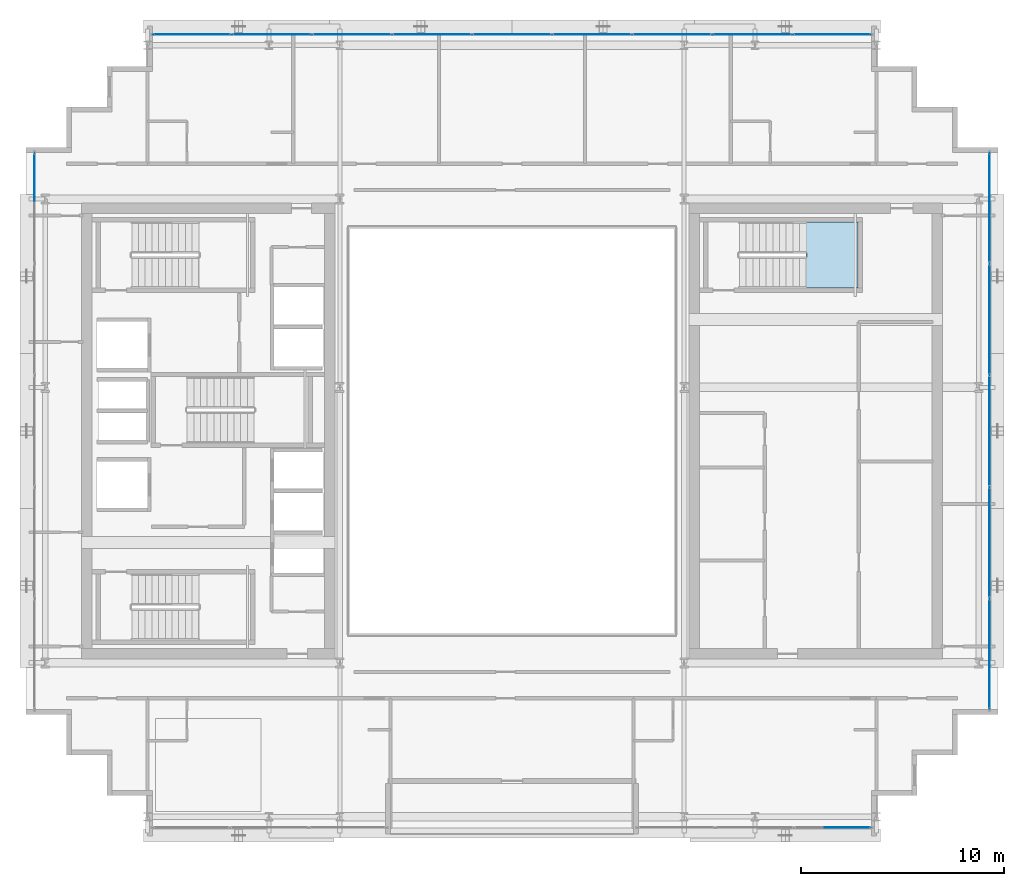
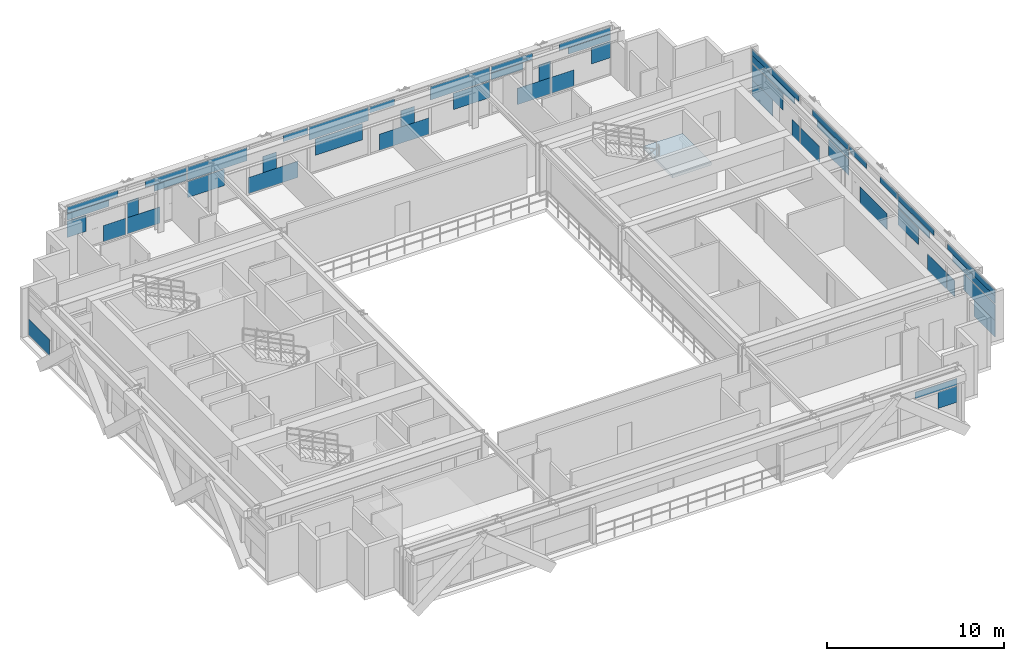
# One storey, part 21 of 30: 52 plates, 1 slab, 5 elements without a shape of their own.
"""IFC4 building model written with IfcOpenShell, lengths in metres."""

from ifc_helpers import new_model, si_unit, direction, frame, origin, origin_2d, place, context, subcontext, project, spatial, polyline, rectangle, outline, extrude, source, transform, mapped, material, layer, layer_set, type_object, element, aggregate, save


model = new_model("IFC4")

# Units and contexts
model_context = context("Model", 3, precision=1e-05, world=origin(), true_north=direction((0.0, 1.0)))
body_context = subcontext(model_context, "Body", "Model", "MODEL_VIEW")
ifc_project = project(units=[si_unit("LENGTHUNIT", "METRE"), si_unit("AREAUNIT", "SQUARE_METRE"), si_unit("VOLUMEUNIT", "CUBIC_METRE"), si_unit("PLANEANGLEUNIT", "RADIAN"), si_unit("MASSUNIT", "GRAM", prefix="KILO")], contexts=[model_context])

# Site, building, storey
site_placement = place(None, origin())
site = spatial("IfcSite", under=ifc_project, at=site_placement, CompositionType="ELEMENT")
building_placement = place(site_placement, origin())
building = spatial("IfcBuilding", under=site, at=building_placement, Name="Ocotamira Hotel", CompositionType="ELEMENT")
storey_placement = place(building_placement, frame((0.0, 0.0, 195.60009765625)))
storey = spatial("IfcBuildingStorey", under=building, at=storey_placement, Name="L49", CompositionType="ELEMENT", Elevation=195.60009765625)

# Stair, slab
ifc_material_1 = material(Name="Concrete C40/50", Category="concrete")
stair_type = type_object("IfcStairType", Name="ST-CORE-1560", PredefinedType="HALF_TURN_STAIR", material=ifc_material_1)
stair_placement = place(storey_placement, origin())
stair = element("IfcStair", 1, at=stair_placement, inside=storey, type_object=stair_type, Name="L49 Exit Stair ST-4", PredefinedType="HALF_TURN_STAIR")
ifc_layer_1 = layer(ifc_material_1, 0.199951171875)
ifc_layer_set_1 = layer_set([ifc_layer_1], Name="Concrete C40/50")
slab_type = type_object("IfcSlabType", Name="SLB-LAND-200", PredefinedType="LANDING", material=ifc_layer_set_1)
slab_placement = place(storey_placement, frame((0.0, 0.0, 1.599853515625)))
slab = element("IfcSlab", 2, at=slab_placement, type_object=slab_type, Name="ST-4 landing 1", PredefinedType="LANDING", context=body_context, shape_type="SweptSolid", body=[
    extrude(outline(polyline([(46.530029296875, 33.050048828125), (49.090087890625, 33.050048828125), (49.090087890625, 36.330078125), (46.530029296875, 36.330078125), (46.530029296875, 33.050048828125)])), origin(), (0.0, 0.0, 1.0), 0.199951171875),
])
aggregate(stair, [slab])

# Curtain wall, plates
ifc_material_2 = material(Name="Anodised pale-metal aluminium and solar glass", Category="aluminium")
ifc_layer_2 = layer(ifc_material_2, 0.199951171875)
ifc_layer_set_2 = layer_set([ifc_layer_2], Name="Anodised pale-metal aluminium and solar glass")
curtain_wall_type = type_object("IfcCurtainWallType", Name="CW-SYS4-Z3", PredefinedType="NOTDEFINED", material=ifc_layer_set_2)
curtain_wall_1_placement = place(storey_placement, origin())
curtain_wall_1 = element("IfcCurtainWall", 3, at=curtain_wall_1_placement, inside=storey, type_object=curtain_wall_type, Name="L49 Curtain Wall CW-4 CW-L49-N", PredefinedType="NOTDEFINED")
ifc_material_3 = material(Name="Double-silver low-E insulated solar glass", Category="glass")
ifc_layer_3 = layer(ifc_material_3, 0.031982421875)
ifc_layer_set_3 = layer_set([ifc_layer_3], Name="Double-silver low-E insulated solar glass")
plate_type = type_object("IfcPlateType", Name="CWP-VISION-32", PredefinedType="CURTAIN_PANEL", material=ifc_layer_set_3)
shared_shape_1 = source(origin(), body_context, "Body", "SweptSolid", [
    extrude(rectangle(XDim=3.87548828125, YDim=0.031982421875, at=origin_2d()), origin(), (0.0, 0.0, 1.0), 0.907470703125),
])
plate_1_placement = place(storey_placement, frame((24.0888671875, 45.580078125, 2.38720703125), z_axis=(0.0, 0.0, 1.0), x_axis=(1.0, 0.0, 0.0)))
plate_1 = element("IfcPlate", 4, at=plate_1_placement, type_object=plate_type, Name="CW-4 panel 3.2", PredefinedType="CURTAIN_PANEL", context=body_context, shape_type="MappedRepresentation", body=[
    mapped(shared_shape_1, transform((0.0, 0.0, 0.0), scale=1.0)),
])
plate_2_placement = place(storey_placement, frame((32.0, 45.580078125, 2.38720703125), z_axis=(0.0, 0.0, 1.0), x_axis=(1.0, 0.0, 0.0)))
plate_2 = element("IfcPlate", 5, at=plate_2_placement, type_object=plate_type, Name="CW-4 panel 5.2", PredefinedType="CURTAIN_PANEL", context=body_context, shape_type="MappedRepresentation", body=[
    mapped(shared_shape_1, transform((0.0, 0.0, 0.0), scale=1.0)),
])
plate_3_placement = place(storey_placement, frame((39.9111328125, 45.580078125, 2.38720703125), z_axis=(0.0, 0.0, 1.0), x_axis=(1.0, 0.0, 0.0)))
plate_3 = element("IfcPlate", 6, at=plate_3_placement, type_object=plate_type, Name="CW-4 panel 7.2", PredefinedType="CURTAIN_PANEL", context=body_context, shape_type="MappedRepresentation", body=[
    mapped(shared_shape_1, transform((0.0, 0.0, 0.0), scale=1.0)),
])

# Curtain wall, plate
curtain_wall_2_placement = place(storey_placement, origin())
curtain_wall_2 = element("IfcCurtainWall", 7, at=curtain_wall_2_placement, inside=storey, type_object=curtain_wall_type, Name="L49 Curtain Wall CW-4 CW-L49-S2", PredefinedType="NOTDEFINED")
shared_shape_2 = source(origin(), body_context, "Body", "SweptSolid", [
    extrude(rectangle(XDim=1.251953125, YDim=0.031982421875, at=origin_2d()), origin(), (0.0, 0.0, 1.0), 1.118896484375),
])
plate_4_placement = place(storey_placement, frame((49.093994140625, 6.419921875, 1.193359375), z_axis=(0.0, 0.0, 1.0), x_axis=(1.0, 0.0, 0.0)))
plate_4 = element("IfcPlate", 8, at=plate_4_placement, type_object=plate_type, Name="CW-4 panel 3.1.2", PredefinedType="CURTAIN_PANEL", context=body_context, shape_type="MappedRepresentation", body=[
    mapped(shared_shape_2, transform((0.0, 0.0, 0.0), scale=1.0)),
])

# Plate
plate_5_placement = place(storey_placement, frame((14.906005859375, 45.580078125, 1.193359375), z_axis=(0.0, 0.0, 1.0), x_axis=(1.0, 0.0, 0.0)))
plate_5 = element("IfcPlate", 9, at=plate_5_placement, type_object=plate_type, Name="CW-4 panel 1.1.1", PredefinedType="CURTAIN_PANEL", context=body_context, shape_type="MappedRepresentation", body=[
    mapped(shared_shape_2, transform((0.0, 0.0, 0.0), scale=1.0)),
])

plate_6_placement = place(storey_placement, frame((49.093994140625, 45.580078125, 1.193359375), z_axis=(0.0, 0.0, 1.0), x_axis=(1.0, 0.0, 0.0)))
plate_6 = element("IfcPlate", 10, at=plate_6_placement, type_object=plate_type, Name="CW-4 panel 9.1.2", PredefinedType="CURTAIN_PANEL", context=body_context, shape_type="MappedRepresentation", body=[
    mapped(shared_shape_2, transform((0.0, 0.0, 0.0), scale=1.0)),
])

shared_shape_3 = source(origin(), body_context, "Body", "SweptSolid", [
    extrude(rectangle(XDim=2.744140625, YDim=0.031982421875, at=origin_2d()), origin(), (0.0, 0.0, 1.0), 0.443603515625),
])
plate_7_placement = place(storey_placement, frame((48.347900390625, 6.419921875, 2.38720703125), z_axis=(0.0, 0.0, 1.0), x_axis=(1.0, 0.0, 0.0)))
plate_7 = element("IfcPlate", 11, at=plate_7_placement, type_object=plate_type, Name="CW-4 panel 3.2.2", PredefinedType="CURTAIN_PANEL", context=body_context, shape_type="MappedRepresentation", body=[
    mapped(shared_shape_3, transform((0.0, 0.0, 0.0), scale=1.0)),
])

aggregate(curtain_wall_2, [plate_4, plate_7])

plate_8_placement = place(storey_placement, frame((15.652099609375, 45.580078125, 2.38720703125), z_axis=(0.0, 0.0, 1.0), x_axis=(1.0, 0.0, 0.0)))
plate_8 = element("IfcPlate", 12, at=plate_8_placement, type_object=plate_type, Name="CW-4 panel 1.2.1", PredefinedType="CURTAIN_PANEL", context=body_context, shape_type="MappedRepresentation", body=[
    mapped(shared_shape_3, transform((0.0, 0.0, 0.0), scale=1.0)),
])

plate_9_placement = place(storey_placement, frame((48.347900390625, 45.580078125, 2.38720703125), z_axis=(0.0, 0.0, 1.0), x_axis=(1.0, 0.0, 0.0)))
plate_9 = element("IfcPlate", 13, at=plate_9_placement, type_object=plate_type, Name="CW-4 panel 9.2.2", PredefinedType="CURTAIN_PANEL", context=body_context, shape_type="MappedRepresentation", body=[
    mapped(shared_shape_3, transform((0.0, 0.0, 0.0), scale=1.0)),
])

shared_shape_4 = source(origin(), body_context, "Body", "SweptSolid", [
    extrude(rectangle(XDim=3.337646484375, YDim=0.031982421875, at=origin_2d()), origin(), (0.0, 0.0, 1.0), 0.4326171875),
])
plate_10_placement = place(storey_placement, frame((15.94873046875, 45.580078125, 2.8623046875), z_axis=(0.0, 0.0, 1.0), x_axis=(1.0, 0.0, 0.0)))
plate_10 = element("IfcPlate", 14, at=plate_10_placement, type_object=plate_type, Name="CW-4 panel 1.2.2", PredefinedType="CURTAIN_PANEL", context=body_context, shape_type="MappedRepresentation", body=[
    mapped(shared_shape_4, transform((0.0, 0.0, 0.0), scale=1.0)),
])

plate_11_placement = place(storey_placement, frame((48.05126953125, 45.580078125, 2.8623046875), z_axis=(0.0, 0.0, 1.0), x_axis=(1.0, 0.0, 0.0)))
plate_11 = element("IfcPlate", 15, at=plate_11_placement, type_object=plate_type, Name="CW-4 panel 9.2.1", PredefinedType="CURTAIN_PANEL", context=body_context, shape_type="MappedRepresentation", body=[
    mapped(shared_shape_4, transform((0.0, 0.0, 0.0), scale=1.0)),
])

shared_shape_5 = source(origin(), body_context, "Body", "SweptSolid", [
    extrude(rectangle(XDim=0.75341796875, YDim=0.031982421875, at=origin_2d()), origin(), (0.0, 0.0, 1.0), 1.118896484375),
])
plate_12_placement = place(storey_placement, frame((18.572265625, 45.580078125, 1.193359375), z_axis=(0.0, 0.0, 1.0), x_axis=(1.0, 0.0, 0.0)))
plate_12 = element("IfcPlate", 16, at=plate_12_placement, type_object=plate_type, Name="CW-4 panel 2.1.2", PredefinedType="CURTAIN_PANEL", context=body_context, shape_type="MappedRepresentation", body=[
    mapped(shared_shape_5, transform((0.0, 0.0, 0.0), scale=1.0)),
])

plate_13_placement = place(storey_placement, frame((45.427734375, 45.580078125, 1.193359375), z_axis=(0.0, 0.0, 1.0), x_axis=(1.0, 0.0, 0.0)))
plate_13 = element("IfcPlate", 17, at=plate_13_placement, type_object=plate_type, Name="CW-4 panel 8.1.2", PredefinedType="CURTAIN_PANEL", context=body_context, shape_type="MappedRepresentation", body=[
    mapped(shared_shape_5, transform((0.0, 0.0, 0.0), scale=1.0)),
])

shared_shape_6 = source(origin(), body_context, "Body", "SweptSolid", [
    extrude(rectangle(XDim=2.688720703125, YDim=0.031982421875, at=origin_2d()), origin(), (0.0, 0.0, 1.0), 0.4326171875),
])
plate_14_placement = place(storey_placement, frame((20.726806640625, 45.580078125, 2.8623046875), z_axis=(0.0, 0.0, 1.0), x_axis=(1.0, 0.0, 0.0)))
plate_14 = element("IfcPlate", 18, at=plate_14_placement, type_object=plate_type, Name="CW-4 panel 2.2.1", PredefinedType="CURTAIN_PANEL", context=body_context, shape_type="MappedRepresentation", body=[
    mapped(shared_shape_6, transform((0.0, 0.0, 0.0), scale=1.0)),
])

plate_15_placement = place(storey_placement, frame((43.273193359375, 45.580078125, 2.8623046875), z_axis=(0.0, 0.0, 1.0), x_axis=(1.0, 0.0, 0.0)))
plate_15 = element("IfcPlate", 19, at=plate_15_placement, type_object=plate_type, Name="CW-4 panel 8.2.2", PredefinedType="CURTAIN_PANEL", context=body_context, shape_type="MappedRepresentation", body=[
    mapped(shared_shape_6, transform((0.0, 0.0, 0.0), scale=1.0)),
])

shared_shape_7 = source(origin(), body_context, "Body", "SweptSolid", [
    extrude(rectangle(XDim=2.09521484375, YDim=0.031982421875, at=origin_2d()), origin(), (0.0, 0.0, 1.0), 0.443603515625),
])
plate_16_placement = place(storey_placement, frame((21.0234375, 45.580078125, 2.38720703125), z_axis=(0.0, 0.0, 1.0), x_axis=(1.0, 0.0, 0.0)))
plate_16 = element("IfcPlate", 20, at=plate_16_placement, type_object=plate_type, Name="CW-4 panel 2.2.2", PredefinedType="CURTAIN_PANEL", context=body_context, shape_type="MappedRepresentation", body=[
    mapped(shared_shape_7, transform((0.0, 0.0, 0.0), scale=1.0)),
])

plate_17_placement = place(storey_placement, frame((42.9765625, 45.580078125, 2.38720703125), z_axis=(0.0, 0.0, 1.0), x_axis=(1.0, 0.0, 0.0)))
plate_17 = element("IfcPlate", 21, at=plate_17_placement, type_object=plate_type, Name="CW-4 panel 8.2.1", PredefinedType="CURTAIN_PANEL", context=body_context, shape_type="MappedRepresentation", body=[
    mapped(shared_shape_7, transform((0.0, 0.0, 0.0), scale=1.0)),
])

shared_shape_8 = source(origin(), body_context, "Body", "SweptSolid", [
    extrude(rectangle(XDim=2.380859375, YDim=0.031982421875, at=origin_2d()), origin(), (0.0, 0.0, 1.0), 1.118896484375),
])
plate_18_placement = place(storey_placement, frame((23.341552734375, 45.580078125, 1.193359375), z_axis=(0.0, 0.0, 1.0), x_axis=(1.0, 0.0, 0.0)))
plate_18 = element("IfcPlate", 22, at=plate_18_placement, type_object=plate_type, Name="CW-4 panel 3.1.1", PredefinedType="CURTAIN_PANEL", context=body_context, shape_type="MappedRepresentation", body=[
    mapped(shared_shape_8, transform((0.0, 0.0, 0.0), scale=1.0)),
])

plate_19_placement = place(storey_placement, frame((40.658447265625, 45.580078125, 1.193359375), z_axis=(0.0, 0.0, 1.0), x_axis=(1.0, 0.0, 0.0)))
plate_19 = element("IfcPlate", 23, at=plate_19_placement, type_object=plate_type, Name="CW-4 panel 7.1.1", PredefinedType="CURTAIN_PANEL", context=body_context, shape_type="MappedRepresentation", body=[
    mapped(shared_shape_8, transform((0.0, 0.0, 0.0), scale=1.0)),
])

shared_shape_9 = source(origin(), body_context, "Body", "SweptSolid", [
    extrude(rectangle(XDim=0.898193359375, YDim=0.031982421875, at=origin_2d()), origin(), (0.0, 0.0, 1.0), 1.118896484375),
])
plate_20_placement = place(storey_placement, frame((27.5, 45.580078125, 1.193359375), z_axis=(0.0, 0.0, 1.0), x_axis=(1.0, 0.0, 0.0)))
plate_20 = element("IfcPlate", 24, at=plate_20_placement, type_object=plate_type, Name="CW-4 panel 4.1.2", PredefinedType="CURTAIN_PANEL", context=body_context, shape_type="MappedRepresentation", body=[
    mapped(shared_shape_9, transform((0.0, 0.0, 0.0), scale=1.0)),
])

plate_21_placement = place(storey_placement, frame((36.5, 45.580078125, 1.193359375), z_axis=(0.0, 0.0, 1.0), x_axis=(1.0, 0.0, 0.0)))
plate_21 = element("IfcPlate", 25, at=plate_21_placement, type_object=plate_type, Name="CW-4 panel 6.1.2", PredefinedType="CURTAIN_PANEL", context=body_context, shape_type="MappedRepresentation", body=[
    mapped(shared_shape_9, transform((0.0, 0.0, 0.0), scale=1.0)),
])

shared_shape_10 = source(origin(), body_context, "Body", "SweptSolid", [
    extrude(rectangle(XDim=1.599853515625, YDim=0.031982421875, at=origin_2d()), origin(), (0.0, 0.0, 1.0), 0.4326171875),
])
plate_22_placement = place(storey_placement, frame((29.182373046875, 45.580078125, 2.8623046875), z_axis=(0.0, 0.0, 1.0), x_axis=(1.0, 0.0, 0.0)))
plate_22 = element("IfcPlate", 26, at=plate_22_placement, type_object=plate_type, Name="CW-4 panel 4.2.1", PredefinedType="CURTAIN_PANEL", context=body_context, shape_type="MappedRepresentation", body=[
    mapped(shared_shape_10, transform((0.0, 0.0, 0.0), scale=1.0)),
])

plate_23_placement = place(storey_placement, frame((34.817626953125, 45.580078125, 2.8623046875), z_axis=(0.0, 0.0, 1.0), x_axis=(1.0, 0.0, 0.0)))
plate_23 = element("IfcPlate", 27, at=plate_23_placement, type_object=plate_type, Name="CW-4 panel 6.2.1", PredefinedType="CURTAIN_PANEL", context=body_context, shape_type="MappedRepresentation", body=[
    mapped(shared_shape_10, transform((0.0, 0.0, 0.0), scale=1.0)),
])

shared_shape_11 = source(origin(), body_context, "Body", "SweptSolid", [
    extrude(rectangle(XDim=3.063720703125, YDim=0.031982421875, at=origin_2d()), origin(), (0.0, 0.0, 1.0), 1.118896484375),
])
plate_24_placement = place(storey_placement, frame((32.0, 45.580078125, 1.193359375), z_axis=(0.0, 0.0, 1.0), x_axis=(1.0, 0.0, 0.0)))
plate_24 = element("IfcPlate", 28, at=plate_24_placement, type_object=plate_type, Name="CW-4 panel 5.1.1", PredefinedType="CURTAIN_PANEL", context=body_context, shape_type="MappedRepresentation", body=[
    mapped(shared_shape_11, transform((0.0, 0.0, 0.0), scale=1.0)),
])

# Curtain wall, plates
curtain_wall_3_placement = place(storey_placement, origin())
curtain_wall_3 = element("IfcCurtainWall", 29, at=curtain_wall_3_placement, inside=storey, type_object=curtain_wall_type, Name="L49 Curtain Wall CW-4 CW-L49-E", PredefinedType="NOTDEFINED")
shared_shape_12 = source(origin(), body_context, "Body", "SweptSolid", [
    extrude(rectangle(XDim=3.534423828125, YDim=0.031982421875, at=origin_2d()), origin(), (0.0, 0.0, 1.0), 1.118896484375),
])
plate_25_placement = place(storey_placement, frame((55.580078125, 14.047119140625, 1.193359375), z_axis=(0.0, 0.0, 1.0), x_axis=(0.0, 1.0, 0.0)))
plate_25 = element("IfcPlate", 30, at=plate_25_placement, type_object=plate_type, Name="CW-4 panel 1.1.2", PredefinedType="CURTAIN_PANEL", context=body_context, shape_type="MappedRepresentation", body=[
    mapped(shared_shape_12, transform((0.0, 0.0, 0.0), scale=1.0)),
])
plate_26_placement = place(storey_placement, frame((55.580078125, 37.952880859375, 1.193359375), z_axis=(0.0, 0.0, 1.0), x_axis=(0.0, 1.0, 0.0)))
plate_26 = element("IfcPlate", 31, at=plate_26_placement, type_object=plate_type, Name="CW-4 panel 5.1.2", PredefinedType="CURTAIN_PANEL", context=body_context, shape_type="MappedRepresentation", body=[
    mapped(shared_shape_12, transform((0.0, 0.0, 0.0), scale=1.0)),
])
shared_shape_13 = source(origin(), body_context, "Body", "SweptSolid", [
    extrude(rectangle(XDim=4.7998046875, YDim=0.031982421875, at=origin_2d()), origin(), (0.0, 0.0, 1.0), 0.4951171875),
])
plate_27_placement = place(storey_placement, frame((55.580078125, 14.679931640625, 2.387451171875), z_axis=(0.0, 0.0, 1.0), x_axis=(0.0, 1.0, 0.0)))
plate_27 = element("IfcPlate", 32, at=plate_27_placement, type_object=plate_type, Name="CW-4 panel 1.2.1", PredefinedType="CURTAIN_PANEL", context=body_context, shape_type="MappedRepresentation", body=[
    mapped(shared_shape_13, transform((0.0, 0.0, 0.0), scale=1.0)),
])
plate_28_placement = place(storey_placement, frame((55.580078125, 37.320068359375, 2.387451171875), z_axis=(0.0, 0.0, 1.0), x_axis=(0.0, 1.0, 0.0)))
plate_28 = element("IfcPlate", 33, at=plate_28_placement, type_object=plate_type, Name="CW-4 panel 5.2.2", PredefinedType="CURTAIN_PANEL", context=body_context, shape_type="MappedRepresentation", body=[
    mapped(shared_shape_13, transform((0.0, 0.0, 0.0), scale=1.0)),
])
shared_shape_14 = source(origin(), body_context, "Body", "SweptSolid", [
    extrude(rectangle(XDim=5.32470703125, YDim=0.031982421875, at=origin_2d()), origin(), (0.0, 0.0, 1.0), 0.41259765625),
])
plate_29_placement = place(storey_placement, frame((55.580078125, 14.9423828125, 2.88232421875), z_axis=(0.0, 0.0, 1.0), x_axis=(0.0, 1.0, 0.0)))
plate_29 = element("IfcPlate", 34, at=plate_29_placement, type_object=plate_type, Name="CW-4 panel 1.2.2", PredefinedType="CURTAIN_PANEL", context=body_context, shape_type="MappedRepresentation", body=[
    mapped(shared_shape_14, transform((0.0, 0.0, 0.0), scale=1.0)),
])
plate_30_placement = place(storey_placement, frame((55.580078125, 37.0576171875, 2.88232421875), z_axis=(0.0, 0.0, 1.0), x_axis=(0.0, 1.0, 0.0)))
plate_30 = element("IfcPlate", 35, at=plate_30_placement, type_object=plate_type, Name="CW-4 panel 5.2.1", PredefinedType="CURTAIN_PANEL", context=body_context, shape_type="MappedRepresentation", body=[
    mapped(shared_shape_14, transform((0.0, 0.0, 0.0), scale=1.0)),
])
shared_shape_15 = source(origin(), body_context, "Body", "SweptSolid", [
    extrude(rectangle(XDim=2.281005859375, YDim=0.031982421875, at=origin_2d()), origin(), (0.0, 0.0, 1.0), 1.118896484375),
])
plate_31_placement = place(storey_placement, frame((55.580078125, 22.059326171875, 1.193359375), z_axis=(0.0, 0.0, 1.0), x_axis=(0.0, 1.0, 0.0)))
plate_31 = element("IfcPlate", 36, at=plate_31_placement, type_object=plate_type, Name="CW-4 panel 2.1.2", PredefinedType="CURTAIN_PANEL", context=body_context, shape_type="MappedRepresentation", body=[
    mapped(shared_shape_15, transform((0.0, 0.0, 0.0), scale=1.0)),
])
plate_32_placement = place(storey_placement, frame((55.580078125, 29.940673828125, 1.193359375), z_axis=(0.0, 0.0, 1.0), x_axis=(0.0, 1.0, 0.0)))
plate_32 = element("IfcPlate", 37, at=plate_32_placement, type_object=plate_type, Name="CW-4 panel 4.1.1", PredefinedType="CURTAIN_PANEL", context=body_context, shape_type="MappedRepresentation", body=[
    mapped(shared_shape_15, transform((0.0, 0.0, 0.0), scale=1.0)),
])
shared_shape_16 = source(origin(), body_context, "Body", "SweptSolid", [
    extrude(rectangle(XDim=4.071533203125, YDim=0.031982421875, at=origin_2d()), origin(), (0.0, 0.0, 1.0), 0.41259765625),
])
plate_33_placement = place(storey_placement, frame((55.580078125, 21.164306640625, 2.88232421875), z_axis=(0.0, 0.0, 1.0), x_axis=(0.0, 1.0, 0.0)))
plate_33 = element("IfcPlate", 38, at=plate_33_placement, type_object=plate_type, Name="CW-4 panel 2.2.1", PredefinedType="CURTAIN_PANEL", context=body_context, shape_type="MappedRepresentation", body=[
    mapped(shared_shape_16, transform((0.0, 0.0, 0.0), scale=1.0)),
])
plate_34_placement = place(storey_placement, frame((55.580078125, 30.835693359375, 2.88232421875), z_axis=(0.0, 0.0, 1.0), x_axis=(0.0, 1.0, 0.0)))
plate_34 = element("IfcPlate", 39, at=plate_34_placement, type_object=plate_type, Name="CW-4 panel 4.2.2", PredefinedType="CURTAIN_PANEL", context=body_context, shape_type="MappedRepresentation", body=[
    mapped(shared_shape_16, transform((0.0, 0.0, 0.0), scale=1.0)),
])
shared_shape_17 = source(origin(), body_context, "Body", "SweptSolid", [
    extrude(rectangle(XDim=3.546630859375, YDim=0.031982421875, at=origin_2d()), origin(), (0.0, 0.0, 1.0), 0.460693359375),
])
plate_35_placement = place(storey_placement, frame((55.580078125, 21.426513671875, 2.3876953125), z_axis=(0.0, 0.0, 1.0), x_axis=(0.0, 1.0, 0.0)))
plate_35 = element("IfcPlate", 40, at=plate_35_placement, type_object=plate_type, Name="CW-4 panel 2.2.2", PredefinedType="CURTAIN_PANEL", context=body_context, shape_type="MappedRepresentation", body=[
    mapped(shared_shape_17, transform((0.0, 0.0, 0.0), scale=1.0)),
])
plate_36_placement = place(storey_placement, frame((55.580078125, 30.573486328125, 2.3876953125), z_axis=(0.0, 0.0, 1.0), x_axis=(0.0, 1.0, 0.0)))
plate_36 = element("IfcPlate", 41, at=plate_36_placement, type_object=plate_type, Name="CW-4 panel 4.2.1", PredefinedType="CURTAIN_PANEL", context=body_context, shape_type="MappedRepresentation", body=[
    mapped(shared_shape_17, transform((0.0, 0.0, 0.0), scale=1.0)),
])
shared_shape_18 = source(origin(), body_context, "Body", "SweptSolid", [
    extrude(rectangle(XDim=1.958251953125, YDim=0.031982421875, at=origin_2d()), origin(), (0.0, 0.0, 1.0), 0.41259765625),
])
plate_37_placement = place(storey_placement, frame((55.580078125, 24.259033203125, 2.88232421875), z_axis=(0.0, 0.0, 1.0), x_axis=(0.0, 1.0, 0.0)))
plate_37 = element("IfcPlate", 42, at=plate_37_placement, type_object=plate_type, Name="CW-4 panel 3.2.1", PredefinedType="CURTAIN_PANEL", context=body_context, shape_type="MappedRepresentation", body=[
    mapped(shared_shape_18, transform((0.0, 0.0, 0.0), scale=1.0)),
])
plate_38_placement = place(storey_placement, frame((55.580078125, 27.740966796875, 2.88232421875), z_axis=(0.0, 0.0, 1.0), x_axis=(0.0, 1.0, 0.0)))
plate_38 = element("IfcPlate", 43, at=plate_38_placement, type_object=plate_type, Name="CW-4 panel 3.2.2", PredefinedType="CURTAIN_PANEL", context=body_context, shape_type="MappedRepresentation", body=[
    mapped(shared_shape_18, transform((0.0, 0.0, 0.0), scale=1.0)),
])

# Plate
shared_shape_19 = source(origin(), body_context, "Body", "SweptSolid", [
    extrude(rectangle(XDim=1.463134765625, YDim=0.031982421875, at=origin_2d()), origin(), (0.0, 0.0, 1.0), 1.11865234375),
])
plate_39_placement = place(storey_placement, frame((17.384033203125, 45.580078125, 0.074951171875), z_axis=(0.0, 0.0, 1.0), x_axis=(1.0, 0.0, 0.0)))
plate_39 = element("IfcPlate", 44, at=plate_39_placement, type_object=plate_type, Name="CW-4 panel 1.1.2", PredefinedType="CURTAIN_PANEL", context=body_context, shape_type="MappedRepresentation", body=[
    mapped(shared_shape_19, transform((0.0, 0.0, 0.0), scale=1.0)),
])

plate_40_placement = place(storey_placement, frame((46.615966796875, 45.580078125, 0.074951171875), z_axis=(0.0, 0.0, 1.0), x_axis=(1.0, 0.0, 0.0)))
plate_40 = element("IfcPlate", 45, at=plate_40_placement, type_object=plate_type, Name="CW-4 panel 9.1.1", PredefinedType="CURTAIN_PANEL", context=body_context, shape_type="MappedRepresentation", body=[
    mapped(shared_shape_19, transform((0.0, 0.0, 0.0), scale=1.0)),
])

shared_shape_20 = source(origin(), body_context, "Body", "SweptSolid", [
    extrude(rectangle(XDim=2.152099609375, YDim=0.031982421875, at=origin_2d()), origin(), (0.0, 0.0, 1.0), 1.11865234375),
])
plate_41_placement = place(storey_placement, frame((19.271484375, 45.580078125, 0.074951171875), z_axis=(0.0, 0.0, 1.0), x_axis=(1.0, 0.0, 0.0)))
plate_41 = element("IfcPlate", 46, at=plate_41_placement, type_object=plate_type, Name="CW-4 panel 2.1.1", PredefinedType="CURTAIN_PANEL", context=body_context, shape_type="MappedRepresentation", body=[
    mapped(shared_shape_20, transform((0.0, 0.0, 0.0), scale=1.0)),
])

plate_42_placement = place(storey_placement, frame((44.728515625, 45.580078125, 0.074951171875), z_axis=(0.0, 0.0, 1.0), x_axis=(1.0, 0.0, 0.0)))
plate_42 = element("IfcPlate", 47, at=plate_42_placement, type_object=plate_type, Name="CW-4 panel 8.1.1", PredefinedType="CURTAIN_PANEL", context=body_context, shape_type="MappedRepresentation", body=[
    mapped(shared_shape_20, transform((0.0, 0.0, 0.0), scale=1.0)),
])

shared_shape_21 = source(origin(), body_context, "Body", "SweptSolid", [
    extrude(rectangle(XDim=3.240966796875, YDim=0.031982421875, at=origin_2d()), origin(), (0.0, 0.0, 1.0), 1.11865234375),
])
plate_43_placement = place(storey_placement, frame((27.72705078125, 45.580078125, 0.074951171875), z_axis=(0.0, 0.0, 1.0), x_axis=(1.0, 0.0, 0.0)))
plate_43 = element("IfcPlate", 48, at=plate_43_placement, type_object=plate_type, Name="CW-4 panel 4.1.1", PredefinedType="CURTAIN_PANEL", context=body_context, shape_type="MappedRepresentation", body=[
    mapped(shared_shape_21, transform((0.0, 0.0, 0.0), scale=1.0)),
])

plate_44_placement = place(storey_placement, frame((36.27294921875, 45.580078125, 0.074951171875), z_axis=(0.0, 0.0, 1.0), x_axis=(1.0, 0.0, 0.0)))
plate_44 = element("IfcPlate", 49, at=plate_44_placement, type_object=plate_type, Name="CW-4 panel 6.1.1", PredefinedType="CURTAIN_PANEL", context=body_context, shape_type="MappedRepresentation", body=[
    mapped(shared_shape_21, transform((0.0, 0.0, 0.0), scale=1.0)),
])

aggregate(curtain_wall_1, [plate_5, plate_39, plate_8, plate_10, plate_41, plate_12, plate_14, plate_16, plate_18, plate_1, plate_43, plate_20, plate_22, plate_24, plate_2, plate_44, plate_21, plate_23, plate_19, plate_3, plate_42, plate_13, plate_17, plate_15, plate_40, plate_6, plate_11, plate_9])

# Curtain wall, plate
curtain_wall_4_placement = place(storey_placement, origin())
curtain_wall_4 = element("IfcCurtainWall", 50, at=curtain_wall_4_placement, inside=storey, type_object=curtain_wall_type, Name="L49 Curtain Wall CW-4 CW-L49-W", PredefinedType="NOTDEFINED")
shared_shape_22 = source(origin(), body_context, "Body", "SweptSolid", [
    extrude(rectangle(XDim=2.348388671875, YDim=0.031982421875, at=origin_2d()), origin(), (0.0, 0.0, 1.0), 1.11865234375),
])
plate_45_placement = place(storey_placement, frame((8.419921875, 38.5458984375, 0.074951171875), z_axis=(0.0, 0.0, 1.0), x_axis=(0.0, 1.0, 0.0)))
plate_45 = element("IfcPlate", 51, at=plate_45_placement, type_object=plate_type, Name="CW-4 panel 5.1.3", PredefinedType="CURTAIN_PANEL", context=body_context, shape_type="MappedRepresentation", body=[
    mapped(shared_shape_22, transform((0.0, 0.0, 0.0), scale=1.0)),
])
aggregate(curtain_wall_4, [plate_45])

# Plate
plate_46_placement = place(storey_placement, frame((55.580078125, 13.4541015625, 0.074951171875), z_axis=(0.0, 0.0, 1.0), x_axis=(0.0, 1.0, 0.0)))
plate_46 = element("IfcPlate", 52, at=plate_46_placement, type_object=plate_type, Name="CW-4 panel 1.1.1", PredefinedType="CURTAIN_PANEL", context=body_context, shape_type="MappedRepresentation", body=[
    mapped(shared_shape_22, transform((0.0, 0.0, 0.0), scale=1.0)),
])

plate_47_placement = place(storey_placement, frame((55.580078125, 38.5458984375, 0.074951171875), z_axis=(0.0, 0.0, 1.0), x_axis=(0.0, 1.0, 0.0)))
plate_47 = element("IfcPlate", 53, at=plate_47_placement, type_object=plate_type, Name="CW-4 panel 5.1.3", PredefinedType="CURTAIN_PANEL", context=body_context, shape_type="MappedRepresentation", body=[
    mapped(shared_shape_22, transform((0.0, 0.0, 0.0), scale=1.0)),
])

shared_shape_23 = source(origin(), body_context, "Body", "SweptSolid", [
    extrude(rectangle(XDim=0.845458984375, YDim=0.031982421875, at=origin_2d()), origin(), (0.0, 0.0, 1.0), 1.11865234375),
])
plate_48_placement = place(storey_placement, frame((55.580078125, 17.25732421875, 0.074951171875), z_axis=(0.0, 0.0, 1.0), x_axis=(0.0, 1.0, 0.0)))
plate_48 = element("IfcPlate", 54, at=plate_48_placement, type_object=plate_type, Name="CW-4 panel 1.1.3", PredefinedType="CURTAIN_PANEL", context=body_context, shape_type="MappedRepresentation", body=[
    mapped(shared_shape_23, transform((0.0, 0.0, 0.0), scale=1.0)),
])

plate_49_placement = place(storey_placement, frame((55.580078125, 34.74267578125, 0.074951171875), z_axis=(0.0, 0.0, 1.0), x_axis=(0.0, 1.0, 0.0)))
plate_49 = element("IfcPlate", 55, at=plate_49_placement, type_object=plate_type, Name="CW-4 panel 5.1.1", PredefinedType="CURTAIN_PANEL", context=body_context, shape_type="MappedRepresentation", body=[
    mapped(shared_shape_23, transform((0.0, 0.0, 0.0), scale=1.0)),
])

shared_shape_24 = source(origin(), body_context, "Body", "SweptSolid", [
    extrude(rectangle(XDim=2.138671875, YDim=0.031982421875, at=origin_2d()), origin(), (0.0, 0.0, 1.0), 1.11865234375),
])
plate_50_placement = place(storey_placement, frame((55.580078125, 18.829345703125, 0.074951171875), z_axis=(0.0, 0.0, 1.0), x_axis=(0.0, 1.0, 0.0)))
plate_50 = element("IfcPlate", 56, at=plate_50_placement, type_object=plate_type, Name="CW-4 panel 2.1.1", PredefinedType="CURTAIN_PANEL", context=body_context, shape_type="MappedRepresentation", body=[
    mapped(shared_shape_24, transform((0.0, 0.0, 0.0), scale=1.0)),
])

plate_51_placement = place(storey_placement, frame((55.580078125, 33.170654296875, 0.074951171875), z_axis=(0.0, 0.0, 1.0), x_axis=(0.0, 1.0, 0.0)))
plate_51 = element("IfcPlate", 57, at=plate_51_placement, type_object=plate_type, Name="CW-4 panel 4.1.2", PredefinedType="CURTAIN_PANEL", context=body_context, shape_type="MappedRepresentation", body=[
    mapped(shared_shape_24, transform((0.0, 0.0, 0.0), scale=1.0)),
])

shared_shape_25 = source(origin(), body_context, "Body", "SweptSolid", [
    extrude(rectangle(XDim=3.064208984375, YDim=0.031982421875, at=origin_2d()), origin(), (0.0, 0.0, 1.0), 1.11865234375),
])
plate_52_placement = place(storey_placement, frame((55.580078125, 26.0, 0.074951171875), z_axis=(0.0, 0.0, 1.0), x_axis=(0.0, 1.0, 0.0)))
plate_52 = element("IfcPlate", 58, at=plate_52_placement, type_object=plate_type, Name="CW-4 panel 3.1.1", PredefinedType="CURTAIN_PANEL", context=body_context, shape_type="MappedRepresentation", body=[
    mapped(shared_shape_25, transform((0.0, 0.0, 0.0), scale=1.0)),
])

aggregate(curtain_wall_3, [plate_46, plate_25, plate_48, plate_27, plate_29, plate_50, plate_31, plate_33, plate_35, plate_52, plate_37, plate_38, plate_32, plate_51, plate_36, plate_34, plate_49, plate_26, plate_47, plate_30, plate_28])

save(model, "model.ifc")
